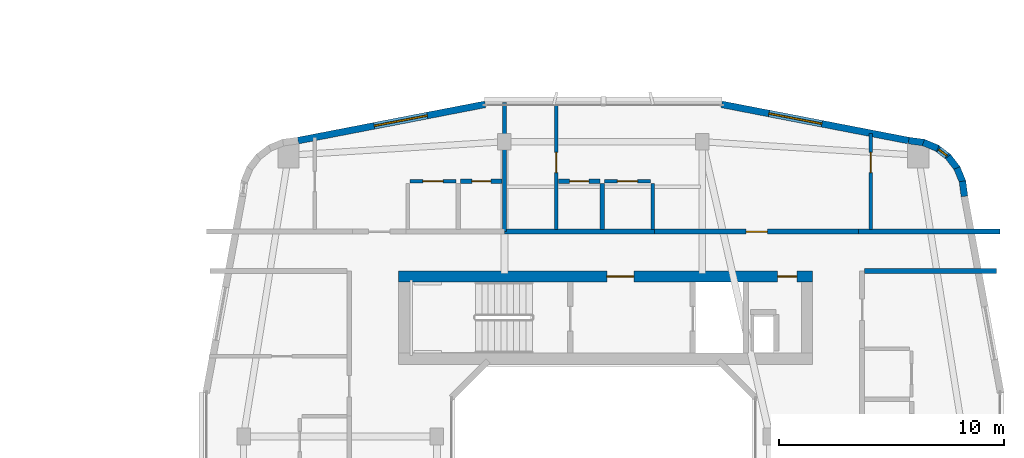
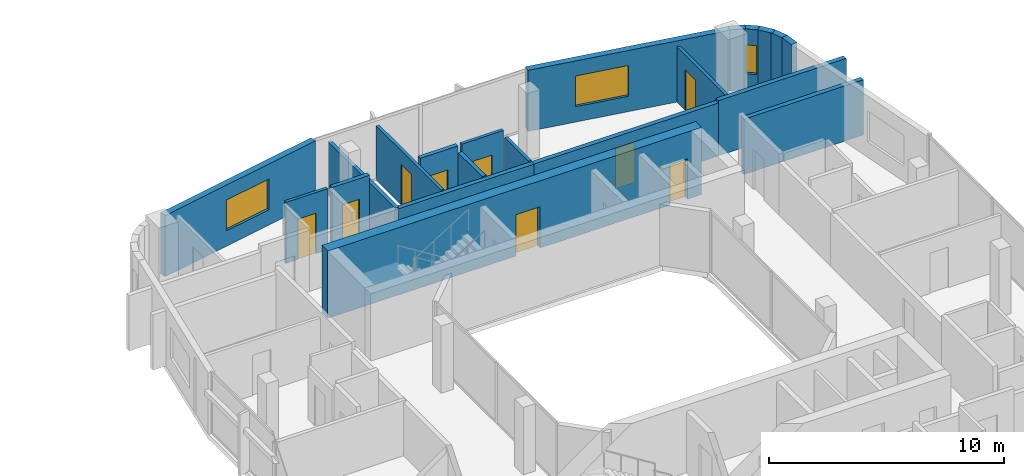
# One storey, part 19 of 25: 22 walls, 9 doors, 3 windows, 12 openings.
"""IFC4 building model written with IfcOpenShell, lengths in metres."""

from ifc_helpers import new_model, si_unit, derived_unit, direction, frame, frame_2d, origin, place, context, subcontext, project, spatial, rectangle, extrude, material, layer, layer_set, type_object, element, fill, save


model = new_model("IFC4")

# Units and contexts
model_context = context("Model", 3, precision=1e-05, world=origin(), true_north=direction((0.0, 1.0)))
body_context = subcontext(model_context, "Body", "Model", "MODEL_VIEW")
ifc_project = project(units=[si_unit("LENGTHUNIT", "METRE"), si_unit("AREAUNIT", "SQUARE_METRE"), si_unit("VOLUMEUNIT", "CUBIC_METRE"), si_unit("PLANEANGLEUNIT", "RADIAN"), si_unit("MASSUNIT", "GRAM", prefix="KILO"), derived_unit("THERMALTRANSMITTANCEUNIT", [(si_unit("POWERUNIT", "WATT"), 1), (si_unit("LENGTHUNIT", "METRE"), -2), (si_unit("THERMODYNAMICTEMPERATUREUNIT", "KELVIN"), -1)])], contexts=[model_context])

# Site, building, storey
site_placement = place(None, origin())
site = spatial("IfcSite", under=ifc_project, at=site_placement, CompositionType="ELEMENT")
building_placement = place(site_placement, origin())
building = spatial("IfcBuilding", under=site, at=building_placement, Name="Kivonza Crest Hotel", CompositionType="ELEMENT")
storey_placement = place(building_placement, frame((0.0, 0.0, 87.0)))
storey = spatial("IfcBuildingStorey", under=building, at=storey_placement, Name="L23", CompositionType="ELEMENT", Elevation=87.0)

# Walls
ifc_material_1 = material(Name="High-density acoustic masonry inter-tenancy wall", Category="masonry")
ifc_layer_1 = layer(ifc_material_1, 0.179931640625)
ifc_layer_set_1 = layer_set([ifc_layer_1], Name="High-density acoustic masonry inter-tenancy wall")
wall_type_1 = type_object("IfcWallType", Name="WL-ACOU-180", PredefinedType="SOLIDWALL", material=ifc_layer_set_1)
wall_1_placement = place(storey_placement, frame((72.60009765625, 37.60009765625, 0.0), z_axis=(0.0, 0.0, 1.0), x_axis=(0.0, 1.0, 0.0)))
element("IfcWall", 1, at=wall_1_placement, inside=storey, type_object=wall_type_1, Name="L23 interior partition WA-L23-T2N-DIV1", PredefinedType="SOLIDWALL", context=body_context, shape_type="SweptSolid", body=[
    extrude(rectangle(XDim=5.739990234375, YDim=0.179931640625, at=frame_2d((2.8701171875, 0.0))), origin(), (0.0, 0.0, 1.0), 2.7548828125),
])
ifc_material_2 = material(Name="Autoclaved aerated concrete blockwork", Category="masonry")
ifc_layer_2 = layer(ifc_material_2, 0.219970703125)
ifc_layer_set_2 = layer_set([ifc_layer_2], Name="Autoclaved aerated concrete blockwork")
wall_type_2 = type_object("IfcWallType", Name="WL-ACOU-220", PredefinedType="SOLIDWALL", material=ifc_layer_set_2)
wall_2_placement = place(storey_placement, frame((72.60009765625, 37.60009765625, 0.0), z_axis=(0.0, 0.0, 1.0), x_axis=(1.0, 0.0, 0.0)))
element("IfcWall", 2, at=wall_2_placement, inside=storey, type_object=wall_type_2, Name="L23 interior partition WA-L23-A02-LCORR", PredefinedType="SOLIDWALL", context=body_context, shape_type="SweptSolid", body=[
    extrude(rectangle(XDim=6.679931640625, YDim=0.219970703125, at=frame_2d((3.33984375, 0.0))), origin(), (0.0, 0.0, 1.0), 2.7548828125),
])
wall_3_placement = place(storey_placement, frame((88.35009765625, 37.60009765625, 0.0), z_axis=(0.0, 0.0, 1.0), x_axis=(1.0, 0.0, 0.0)))
element("IfcWall", 3, at=wall_3_placement, inside=storey, type_object=wall_type_2, Name="L23 interior partition WA-L23-A02-RCORR", PredefinedType="SOLIDWALL", context=body_context, shape_type="SweptSolid", body=[
    extrude(rectangle(XDim=6.289794921875, YDim=0.219970703125, at=frame_2d((3.14501953125, 0.0))), origin(), (0.0, 0.0, 1.0), 2.875),
])

# Wall, opening, door
wall_4_placement = place(storey_placement, frame((79.280029296875, 37.60009765625, 0.0), z_axis=(0.0, 0.0, 1.0), x_axis=(1.0, 0.0, 0.0)))
wall_4 = element("IfcWall", 4, at=wall_4_placement, inside=storey, type_object=wall_type_2, Name="L23 interior partition WA-L23-A02-MCORR", PredefinedType="SOLIDWALL", context=body_context, shape_type="SweptSolid", body=[
    extrude(rectangle(XDim=9.070068359375, YDim=0.219970703125, at=frame_2d((4.53515625, 0.0))), origin(), (0.0, 0.0, 1.0), 2.7548828125),
])
opening_1_placement = place(wall_4_placement, frame((4.06005859375, 0.0, 0.0)))
opening_1 = element("IfcOpeningElement", 5, at=opening_1_placement, cuts=wall_4, Name="Opening DU-60", PredefinedType="OPENING", context=body_context, shape_type="SweptSolid", body=[
    extrude(rectangle(XDim=0.949951171875, YDim=2.10009765625, at=frame_2d((0.47509765625, 1.050048828125))), frame((0.0, 0.1201171875, 0.0), z_axis=(0.0, -1.0, 0.0), x_axis=(1.0, 0.0, 0.0)), (0.0, 0.0, 1.0), 0.239990234375),
])
ifc_material_3 = material(Name="Hardwood timber oak", Category="wood")
door_type_1 = type_object("IfcDoorType", Name="DR-UNIT-950", OperationType="NOTDEFINED", PredefinedType="DOOR", material=ifc_material_3)
door_1_placement = place(opening_1_placement, origin())
door_1 = element("IfcDoor", 6, at=door_1_placement, inside=storey, type_object=door_type_1, Name="L23 A02 apartment entrance fire door", OperationType="SINGLE_SWING_RIGHT", OverallHeight=2.10009765625, OverallWidth=0.949951171875, PredefinedType="DOOR", context=body_context, shape_type="SweptSolid", body=[
    extrude(rectangle(XDim=0.949951171875, YDim=2.10009765625, at=frame_2d((0.47509765625, 1.050048828125))), frame((0.0, 0.02490234375, 0.0), z_axis=(0.0, -1.0, 0.0), x_axis=(1.0, 0.0, 0.0)), (0.0, 0.0, 1.0), 0.050048828125),
])
fill(opening_1, door_1)

# Wall
wall_5_placement = place(storey_placement, frame((88.60009765625, 35.860107421875, 0.0), z_axis=(0.0, 0.0, 1.0), x_axis=(1.0, 0.0, 0.0)))
element("IfcWall", 7, at=wall_5_placement, inside=storey, type_object=wall_type_2, Name="L23 interior partition WA-L23-T2E-ENDN", PredefinedType="SOLIDWALL", context=body_context, shape_type="SweptSolid", body=[
    extrude(rectangle(XDim=5.8798828125, YDim=0.219970703125, at=frame_2d((2.93994140625, 0.0))), origin(), (0.0, 0.0, 1.0), 2.875),
])

# Wall, openings, doors
ifc_material_4 = material(Name="Concrete C60/75", Category="concrete")
ifc_layer_3 = layer(ifc_material_4, 0.5)
ifc_layer_set_3 = layer_set([ifc_layer_3], Name="Concrete C60/75")
wall_type_3 = type_object("IfcWallType", Name="WL-CORE-500", PredefinedType="SHEAR", material=ifc_layer_set_3)
wall_6_placement = place(storey_placement, frame((67.89990234375, 35.610107421875, 0.0), z_axis=(0.0, 0.0, 1.0), x_axis=(1.0, 0.0, 0.0)))
wall_6 = element("IfcWall", 8, at=wall_6_placement, inside=storey, type_object=wall_type_3, Name="Core wall T2-N North L23", PredefinedType="SHEAR", context=body_context, shape_type="SweptSolid", body=[
    extrude(rectangle(XDim=18.400146484375, YDim=0.5, at=frame_2d((9.2001953125, 0.0))), origin(), (0.0, 0.0, 1.0), 3.5),
])
opening_2_placement = place(wall_6_placement, frame((9.25, 0.0, 0.0)))
opening_2 = element("IfcOpeningElement", 9, at=opening_2_placement, cuts=wall_6, Name="Opening DF-60", PredefinedType="OPENING", context=body_context, shape_type="SweptSolid", body=[
    extrude(rectangle(XDim=1.199951171875, YDim=2.14990234375, at=frame_2d((0.60009765625, 1.074951171875))), frame((0.0, 0.260009765625, 0.0), z_axis=(0.0, -1.0, 0.0), x_axis=(1.0, 0.0, 0.0)), (0.0, 0.0, 1.0), 0.52001953125),
])
opening_3_placement = place(wall_6_placement, frame((16.85009765625, 0.0, 0.0)))
opening_3 = element("IfcOpeningElement", 10, at=opening_3_placement, cuts=wall_6, Name="Opening DF-60R", PredefinedType="OPENING", context=body_context, shape_type="SweptSolid", body=[
    extrude(rectangle(XDim=0.85009765625, YDim=2.10009765625, at=frame_2d((0.425048828125, 1.050048828125))), frame((0.0, 0.260009765625, 0.0), z_axis=(0.0, -1.0, 0.0), x_axis=(1.0, 0.0, 0.0)), (0.0, 0.0, 1.0), 0.52001953125),
])
door_type_2 = type_object("IfcDoorType", Name="DR-FD60-1200", OperationType="NOTDEFINED", PredefinedType="DOOR", material=ifc_material_3)
door_2_placement = place(opening_2_placement, origin())
door_2 = element("IfcDoor", 11, at=door_2_placement, inside=storey, type_object=door_type_2, Name="L23 T2-N firefighting lobby fire door", OperationType="SINGLE_SWING_RIGHT", OverallHeight=2.14990234375, OverallWidth=1.199951171875, PredefinedType="DOOR", context=body_context, shape_type="SweptSolid", body=[
    extrude(rectangle(XDim=1.199951171875, YDim=2.14990234375, at=frame_2d((0.60009765625, 1.074951171875))), frame((0.0, 0.02490234375, 0.0), z_axis=(0.0, -1.0, 0.0), x_axis=(1.0, 0.0, 0.0)), (0.0, 0.0, 1.0), 0.050048828125),
])
fill(opening_2, door_2)
door_type_3 = type_object("IfcDoorType", Name="DR-FD60-850", OperationType="NOTDEFINED", PredefinedType="DOOR", material=ifc_material_3)
door_3_placement = place(opening_3_placement, origin())
door_3 = element("IfcDoor", 12, at=door_3_placement, inside=storey, type_object=door_type_3, Name="L23 T2-N core room door", OperationType="SINGLE_SWING_RIGHT", OverallHeight=2.10009765625, OverallWidth=0.85009765625, PredefinedType="DOOR", context=body_context, shape_type="SweptSolid", body=[
    extrude(rectangle(XDim=0.85009765625, YDim=2.10009765625, at=frame_2d((0.425048828125, 1.050048828125))), frame((0.0, 0.02490234375, 0.0), z_axis=(0.0, -1.0, 0.0), x_axis=(1.0, 0.0, 0.0)), (0.0, 0.0, 1.0), 0.050048828125),
])
fill(opening_3, door_3)

# Walls
ifc_material_5 = material(Name="Precast concrete C40/50", Category="concrete")
ifc_layer_4 = layer(ifc_material_5, 0.300048828125)
ifc_layer_set_4 = layer_set([ifc_layer_4], Name="Precast concrete C40/50")
wall_type_4 = type_object("IfcWallType", Name="WL-EXT-300", PredefinedType="STANDARD", material=ifc_layer_set_4)
wall_7_placement = place(storey_placement, frame((93.052001953125, 39.172119140625, 0.0), z_axis=(0.0, 0.0, 1.0), x_axis=(-0.131667498923, 0.991293937098, 0.0)))
element("IfcWall", 13, at=wall_7_placement, inside=storey, type_object=wall_type_4, Name="L23 T2 exterior insulated wall 19", PredefinedType="STANDARD", context=body_context, shape_type="SweptSolid", body=[
    extrude(rectangle(XDim=0.6767578125, YDim=0.300048828125, at=frame_2d((0.33837890625, 0.0))), origin(), (0.0, 0.0, 1.0), 3.179931640625),
])
wall_8_placement = place(storey_placement, frame((92.98193359375, 39.79296875, 0.0), z_axis=(0.0, 0.0, 1.0), x_axis=(-0.381864727877, 0.92421822618, 0.0)))
element("IfcWall", 14, at=wall_8_placement, inside=storey, type_object=wall_type_4, Name="L23 T2 exterior insulated wall 20", PredefinedType="STANDARD", context=body_context, shape_type="SweptSolid", body=[
    extrude(rectangle(XDim=0.693603515625, YDim=0.300048828125, at=frame_2d((0.3466796875, 0.0))), origin(), (0.0, 0.0, 1.0), 3.179931640625),
])
wall_9_placement = place(storey_placement, frame((92.748046875, 40.388916015625, 0.0), z_axis=(0.0, 0.0, 1.0), x_axis=(-0.609693758543, 0.792637067512, 0.0)))
element("IfcWall", 15, at=wall_9_placement, inside=storey, type_object=wall_type_4, Name="L23 T2 exterior insulated wall 21", PredefinedType="STANDARD", context=body_context, shape_type="SweptSolid", body=[
    extrude(rectangle(XDim=0.69384765625, YDim=0.300048828125, at=frame_2d((0.346923828125, 0.0))), origin(), (0.0, 0.0, 1.0), 3.179931640625),
])

# Wall, opening, window
wall_10_placement = place(storey_placement, frame((92.366943359375, 40.904052734375, 0.0), z_axis=(0.0, 0.0, 1.0), x_axis=(-0.792807092876, 0.609472651958, 0.0)))
wall_10 = element("IfcWall", 16, at=wall_10_placement, inside=storey, type_object=wall_type_4, Name="L23 T2 exterior insulated wall 22", PredefinedType="STANDARD", context=body_context, shape_type="SweptSolid", body=[
    extrude(rectangle(XDim=0.69384765625, YDim=0.300048828125, at=frame_2d((0.346923828125, 0.0))), origin(), (0.0, 0.0, 1.0), 3.179931640625),
])
opening_4_placement = place(wall_10_placement, frame((0.1220703125, 0.0, 0.85009765625)))
opening_4 = element("IfcOpeningElement", 17, at=opening_4_placement, cuts=wall_10, Name="Opening WN-11", PredefinedType="OPENING", context=body_context, shape_type="SweptSolid", body=[
    extrude(rectangle(XDim=0.449951171875, YDim=1.5, at=frame_2d((0.22509765625, 0.75))), frame((0.0, 0.16015625, 0.0), z_axis=(0.0, -1.0, 0.0), x_axis=(1.0, 0.0, 0.0)), (0.0, 0.0, 1.0), 0.320068359375),
])
ifc_material_6 = material(Name="Thermally broken bronze aluminium and low-E double glazing", Category="aluminium")
window_type_1 = type_object("IfcWindowType", Name="WN-045x150", PartitioningType="SINGLE_PANEL", PredefinedType="WINDOW", material=ifc_material_6)
window_1_placement = place(opening_4_placement, origin())
window_1 = element("IfcWindow", 18, at=window_1_placement, inside=storey, type_object=window_type_1, Name="L23 corner vision window 2", OverallHeight=1.5, OverallWidth=0.449951171875, PartitioningType="SINGLE_PANEL", PredefinedType="WINDOW", context=body_context, shape_type="SweptSolid", body=[
    extrude(rectangle(XDim=0.449951171875, YDim=1.5, at=frame_2d((0.22509765625, 0.75))), frame((0.0, 0.030029296875, 0.0), z_axis=(0.0, -1.0, 0.0), x_axis=(1.0, 0.0, 0.0)), (0.0, 0.0, 1.0), 0.06005859375),
])
fill(opening_4, window_1)

# Walls
wall_11_placement = place(storey_placement, frame((91.865966796875, 41.302978515625, 0.0), z_axis=(0.0, 0.0, 1.0), x_axis=(-0.924042561464, 0.382289608286, 0.0)))
element("IfcWall", 19, at=wall_11_placement, inside=storey, type_object=wall_type_4, Name="L23 T2 exterior insulated wall 23", PredefinedType="STANDARD", context=body_context, shape_type="SweptSolid", body=[
    extrude(rectangle(XDim=0.693603515625, YDim=0.300048828125, at=frame_2d((0.3466796875, 0.0))), origin(), (0.0, 0.0, 1.0), 3.179931640625),
])
wall_12_placement = place(storey_placement, frame((91.278076171875, 41.55908203125, 0.0), z_axis=(0.0, 0.0, 1.0), x_axis=(-0.991433279471, 0.130614135366, 0.0)))
element("IfcWall", 20, at=wall_12_placement, inside=storey, type_object=wall_type_4, Name="L23 T2 exterior insulated wall 24", PredefinedType="STANDARD", context=body_context, shape_type="SweptSolid", body=[
    extrude(rectangle(XDim=0.712158203125, YDim=0.300048828125, at=frame_2d((0.35595703125, 0.0))), origin(), (0.0, 0.0, 1.0), 3.179931640625),
])

# Wall, opening, window
wall_13_placement = place(storey_placement, frame((90.5791015625, 41.65087890625, 0.0), z_axis=(0.0, 0.0, 1.0), x_axis=(-0.981750199588, 0.190175039396, 0.0)))
wall_13 = element("IfcWall", 21, at=wall_13_placement, inside=storey, type_object=wall_type_4, Name="L23 T2 exterior insulated wall 25", PredefinedType="STANDARD", context=body_context, shape_type="SweptSolid", body=[
    extrude(rectangle(XDim=8.476806640625, YDim=0.300048828125, at=frame_2d((4.23828125, 0.0))), origin(), (0.0, 0.0, 1.0), 3.179931640625),
])
opening_5_placement = place(wall_13_placement, frame((3.93701171875, 0.0, 0.800048828125)))
opening_5 = element("IfcOpeningElement", 22, at=opening_5_placement, cuts=wall_13, Name="Opening WN-05", PredefinedType="OPENING", context=body_context, shape_type="SweptSolid", body=[
    extrude(rectangle(XDim=2.39990234375, YDim=1.60009765625, at=frame_2d((1.199951171875, 0.800048828125))), frame((0.0, 0.16015625, 0.0), z_axis=(0.0, -1.0, 0.0), x_axis=(1.0, 0.0, 0.0)), (0.0, 0.0, 1.0), 0.320068359375),
])
window_type_2 = type_object("IfcWindowType", Name="WN-240x160", PartitioningType="TRIPLE_PANEL_VERTICAL", PredefinedType="WINDOW", material=ifc_material_6)
window_2_placement = place(opening_5_placement, origin())
window_2 = element("IfcWindow", 23, at=window_2_placement, inside=storey, type_object=window_type_2, Name="L23 T2 facade window 25", OverallHeight=1.60009765625, OverallWidth=2.39990234375, PartitioningType="SINGLE_PANEL", PredefinedType="WINDOW", context=body_context, shape_type="SweptSolid", body=[
    extrude(rectangle(XDim=2.39990234375, YDim=1.60009765625, at=frame_2d((1.199951171875, 0.800048828125))), frame((0.0, 0.030029296875, 0.0), z_axis=(0.0, -1.0, 0.0), x_axis=(1.0, 0.0, 0.0)), (0.0, 0.0, 1.0), 0.06005859375),
])
fill(opening_5, window_2)

wall_14_placement = place(storey_placement, frame((71.742919921875, 43.262939453125, 0.0), z_axis=(0.0, 0.0, 1.0), x_axis=(-0.981750199588, -0.190175039396, 0.0)))
wall_14 = element("IfcWall", 24, at=wall_14_placement, inside=storey, type_object=wall_type_4, Name="L23 T2 exterior insulated wall 27", PredefinedType="STANDARD", context=body_context, shape_type="SweptSolid", body=[
    extrude(rectangle(XDim=8.476806640625, YDim=0.300048828125, at=frame_2d((4.23828125, 0.0))), origin(), (0.0, 0.0, 1.0), 3.179931640625),
])
opening_6_placement = place(wall_14_placement, frame((2.623046875, 0.0, 0.800048828125)))
opening_6 = element("IfcOpeningElement", 25, at=opening_6_placement, cuts=wall_14, Name="Opening WN-05", PredefinedType="OPENING", context=body_context, shape_type="SweptSolid", body=[
    extrude(rectangle(XDim=2.39990234375, YDim=1.60009765625, at=frame_2d((1.199951171875, 0.800048828125))), frame((0.0, 0.16015625, 0.0), z_axis=(0.0, -1.0, 0.0), x_axis=(1.0, 0.0, 0.0)), (0.0, 0.0, 1.0), 0.320068359375),
])
window_3_placement = place(opening_6_placement, origin())
window_3 = element("IfcWindow", 26, at=window_3_placement, inside=storey, type_object=window_type_2, Name="L23 T2 facade window 27", OverallHeight=1.60009765625, OverallWidth=2.39990234375, PartitioningType="SINGLE_PANEL", PredefinedType="WINDOW", context=body_context, shape_type="SweptSolid", body=[
    extrude(rectangle(XDim=2.39990234375, YDim=1.60009765625, at=frame_2d((1.199951171875, 0.800048828125))), frame((0.0, 0.030029296875, 0.0), z_axis=(0.0, -1.0, 0.0), x_axis=(1.0, 0.0, 0.0)), (0.0, 0.0, 1.0), 0.06005859375),
])
fill(opening_6, window_3)

# Wall, opening, door
ifc_material_7 = material(Name="Twin-stud acoustic gypsum board partition", Category="gypsum")
ifc_layer_5 = layer(ifc_material_7, 0.14990234375)
ifc_layer_set_5 = layer_set([ifc_layer_5], Name="Twin-stud acoustic gypsum board partition")
wall_type_5 = type_object("IfcWallType", Name="WL-PART-150", PredefinedType="PARTITIONING", material=ifc_layer_set_5)
wall_15_placement = place(storey_placement, frame((68.39990234375, 39.85009765625, 0.0), z_axis=(0.0, 0.0, 1.0), x_axis=(1.0, 0.0, 0.0)))
wall_15 = element("IfcWall", 27, at=wall_15_placement, inside=storey, type_object=wall_type_5, Name="L23 interior partition WP-L23-A01-KSVC", PredefinedType="PARTITIONING", context=body_context, shape_type="SweptSolid", body=[
    extrude(rectangle(XDim=2.050048828125, YDim=0.14990234375, at=frame_2d((1.02490234375, 0.0))), origin(), (0.0, 0.0, 1.0), 3.179931640625),
])
opening_7_placement = place(wall_15_placement, frame((0.574951171875, 0.0, 0.0)))
opening_7 = element("IfcOpeningElement", 28, at=opening_7_placement, cuts=wall_15, Name="Opening DI-90", PredefinedType="OPENING", context=body_context, shape_type="SweptSolid", body=[
    extrude(rectangle(XDim=0.89990234375, YDim=2.10009765625, at=frame_2d((0.449951171875, 1.050048828125))), frame((0.0, 0.0849609375, 0.0), z_axis=(0.0, -1.0, 0.0), x_axis=(1.0, 0.0, 0.0)), (0.0, 0.0, 1.0), 0.169921875),
])
door_type_4 = type_object("IfcDoorType", Name="DR-INT-900", OperationType="NOTDEFINED", PredefinedType="DOOR", material=ifc_material_3)
door_4_placement = place(opening_7_placement, origin())
door_4 = element("IfcDoor", 29, at=door_4_placement, inside=storey, type_object=door_type_4, Name="L23 A01 apartment kitchen door", OperationType="SINGLE_SWING_LEFT", OverallHeight=2.10009765625, OverallWidth=0.89990234375, PredefinedType="DOOR", context=body_context, shape_type="SweptSolid", body=[
    extrude(rectangle(XDim=0.89990234375, YDim=2.10009765625, at=frame_2d((0.449951171875, 1.050048828125))), frame((0.0, 0.02490234375, 0.0), z_axis=(0.0, -1.0, 0.0), x_axis=(1.0, 0.0, 0.0)), (0.0, 0.0, 1.0), 0.050048828125),
])
fill(opening_7, door_4)

wall_16_placement = place(storey_placement, frame((74.89990234375, 37.699951171875, 0.0), z_axis=(0.0, 0.0, 1.0), x_axis=(0.0, 1.0, 0.0)))
wall_16 = element("IfcWall", 30, at=wall_16_placement, inside=storey, type_object=wall_type_5, Name="L23 interior partition WP-L23-A02-BDW1", PredefinedType="PARTITIONING", context=body_context, shape_type="SweptSolid", body=[
    extrude(rectangle(XDim=5.5400390625, YDim=0.14990234375, at=frame_2d((2.77001953125, 0.0))), origin(), (0.0, 0.0, 1.0), 2.824951171875),
])
opening_8_placement = place(wall_16_placement, frame((2.530029296875, 0.0, 0.0)))
opening_8 = element("IfcOpeningElement", 31, at=opening_8_placement, cuts=wall_16, Name="Opening DI-90", PredefinedType="OPENING", context=body_context, shape_type="SweptSolid", body=[
    extrude(rectangle(XDim=0.89990234375, YDim=2.10009765625, at=frame_2d((0.449951171875, 1.050048828125))), frame((0.0, 0.0849609375, 0.0), z_axis=(0.0, -1.0, 0.0), x_axis=(1.0, 0.0, 0.0)), (0.0, 0.0, 1.0), 0.169921875),
])
door_5_placement = place(opening_8_placement, origin())
door_5 = element("IfcDoor", 32, at=door_5_placement, inside=storey, type_object=door_type_4, Name="L23 A02 bedroom 1 door", OperationType="SINGLE_SWING_LEFT", OverallHeight=2.10009765625, OverallWidth=0.89990234375, PredefinedType="DOOR", context=body_context, shape_type="SweptSolid", body=[
    extrude(rectangle(XDim=0.89990234375, YDim=2.10009765625, at=frame_2d((0.449951171875, 1.050048828125))), frame((0.0, 0.02490234375, 0.0), z_axis=(0.0, -1.0, 0.0), x_axis=(1.0, 0.0, 0.0)), (0.0, 0.0, 1.0), 0.050048828125),
])
fill(opening_8, door_5)

wall_17_placement = place(storey_placement, frame((88.889892578125, 37.699951171875, 0.0), z_axis=(0.0, 0.0, 1.0), x_axis=(0.0, 1.0, 0.0)))
wall_17 = element("IfcWall", 33, at=wall_17_placement, inside=storey, type_object=wall_type_5, Name="L23 interior partition WP-L23-A02-BDW2", PredefinedType="PARTITIONING", context=body_context, shape_type="SweptSolid", body=[
    extrude(rectangle(XDim=4.27001953125, YDim=0.14990234375, at=frame_2d((2.135009765625, 0.0))), origin(), (0.0, 0.0, 1.0), 2.875),
])
opening_9_placement = place(wall_17_placement, frame((2.530029296875, 0.0, 0.0)))
opening_9 = element("IfcOpeningElement", 34, at=opening_9_placement, cuts=wall_17, Name="Opening DI-90", PredefinedType="OPENING", context=body_context, shape_type="SweptSolid", body=[
    extrude(rectangle(XDim=0.89990234375, YDim=2.10009765625, at=frame_2d((0.449951171875, 1.050048828125))), frame((0.0, 0.0849609375, 0.0), z_axis=(0.0, -1.0, 0.0), x_axis=(1.0, 0.0, 0.0)), (0.0, 0.0, 1.0), 0.169921875),
])
door_6_placement = place(opening_9_placement, origin())
door_6 = element("IfcDoor", 35, at=door_6_placement, inside=storey, type_object=door_type_4, Name="L23 A02 bedroom 2 door", OperationType="SINGLE_SWING_RIGHT", OverallHeight=2.10009765625, OverallWidth=0.89990234375, PredefinedType="DOOR", context=body_context, shape_type="SweptSolid", body=[
    extrude(rectangle(XDim=0.89990234375, YDim=2.10009765625, at=frame_2d((0.449951171875, 1.050048828125))), frame((0.0, 0.02490234375, 0.0), z_axis=(0.0, -1.0, 0.0), x_axis=(1.0, 0.0, 0.0)), (0.0, 0.0, 1.0), 0.050048828125),
])
fill(opening_9, door_6)

# Wall
wall_18_placement = place(storey_placement, frame((79.199951171875, 37.699951171875, 0.0), z_axis=(0.0, 0.0, 1.0), x_axis=(0.0, 1.0, 0.0)))
element("IfcWall", 36, at=wall_18_placement, inside=storey, type_object=wall_type_5, Name="L23 interior partition WP-L23-A02-KF", PredefinedType="PARTITIONING", context=body_context, shape_type="SweptSolid", body=[
    extrude(rectangle(XDim=2.050048828125, YDim=0.14990234375, at=frame_2d((1.02490234375, 0.0))), origin(), (0.0, 0.0, 1.0), 2.824951171875),
])

# Wall, opening, door
wall_19_placement = place(storey_placement, frame((77.050048828125, 39.85009765625, 0.0), z_axis=(0.0, 0.0, 1.0), x_axis=(1.0, 0.0, 0.0)))
wall_19 = element("IfcWall", 37, at=wall_19_placement, inside=storey, type_object=wall_type_5, Name="L23 interior partition WP-L23-A02-KSVC", PredefinedType="PARTITIONING", context=body_context, shape_type="SweptSolid", body=[
    extrude(rectangle(XDim=2.050048828125, YDim=0.14990234375, at=frame_2d((1.02490234375, 0.0))), origin(), (0.0, 0.0, 1.0), 3.179931640625),
])
opening_10_placement = place(wall_19_placement, frame((0.574951171875, 0.0, 0.0)))
opening_10 = element("IfcOpeningElement", 38, at=opening_10_placement, cuts=wall_19, Name="Opening DI-90", PredefinedType="OPENING", context=body_context, shape_type="SweptSolid", body=[
    extrude(rectangle(XDim=0.89990234375, YDim=2.10009765625, at=frame_2d((0.449951171875, 1.050048828125))), frame((0.0, 0.0849609375, 0.0), z_axis=(0.0, -1.0, 0.0), x_axis=(1.0, 0.0, 0.0)), (0.0, 0.0, 1.0), 0.169921875),
])
door_7_placement = place(opening_10_placement, origin())
door_7 = element("IfcDoor", 39, at=door_7_placement, inside=storey, type_object=door_type_4, Name="L23 A02 apartment kitchen door", OperationType="SINGLE_SWING_RIGHT", OverallHeight=2.10009765625, OverallWidth=0.89990234375, PredefinedType="DOOR", context=body_context, shape_type="SweptSolid", body=[
    extrude(rectangle(XDim=0.89990234375, YDim=2.10009765625, at=frame_2d((0.449951171875, 1.050048828125))), frame((0.0, 0.02490234375, 0.0), z_axis=(0.0, -1.0, 0.0), x_axis=(1.0, 0.0, 0.0)), (0.0, 0.0, 1.0), 0.050048828125),
])
fill(opening_10, door_7)

ifc_material_8 = material(Name="Moisture-resistant plumbing chase partition wall", Category="gypsum")
ifc_layer_6 = layer(ifc_material_8, 0.199951171875)
ifc_layer_set_6 = layer_set([ifc_layer_6], Name="Moisture-resistant plumbing chase partition wall")
wall_type_6 = type_object("IfcWallType", Name="WL-PLUMB-200", PredefinedType="PLUMBINGWALL", material=ifc_layer_set_6)
wall_20_placement = place(storey_placement, frame((70.64990234375, 39.85009765625, 0.0), z_axis=(0.0, 0.0, 1.0), x_axis=(1.0, 0.0, 0.0)))
wall_20 = element("IfcWall", 40, at=wall_20_placement, inside=storey, type_object=wall_type_6, Name="L23 interior partition WW-L23-A01-BSVC", PredefinedType="PLUMBINGWALL", context=body_context, shape_type="SweptSolid", body=[
    extrude(rectangle(XDim=1.85009765625, YDim=0.199951171875, at=frame_2d((0.925048828125, 0.0))), origin(), (0.0, 0.0, 1.0), 3.179931640625),
])
opening_11_placement = place(wall_20_placement, frame((0.5, 0.0, 0.0)))
opening_11 = element("IfcOpeningElement", 41, at=opening_11_placement, cuts=wall_20, Name="Opening DI-85", PredefinedType="OPENING", context=body_context, shape_type="SweptSolid", body=[
    extrude(rectangle(XDim=0.85009765625, YDim=2.10009765625, at=frame_2d((0.425048828125, 1.050048828125))), frame((0.0, 0.10986328125, 0.0), z_axis=(0.0, -1.0, 0.0), x_axis=(1.0, 0.0, 0.0)), (0.0, 0.0, 1.0), 0.219970703125),
])
door_type_5 = type_object("IfcDoorType", Name="DR-INT-850", OperationType="NOTDEFINED", PredefinedType="DOOR", material=ifc_material_3)
door_8_placement = place(opening_11_placement, origin())
door_8 = element("IfcDoor", 42, at=door_8_placement, inside=storey, type_object=door_type_5, Name="L23 A01 apartment bathroom door", OperationType="SINGLE_SWING_RIGHT", OverallHeight=2.10009765625, OverallWidth=0.85009765625, PredefinedType="DOOR", context=body_context, shape_type="SweptSolid", body=[
    extrude(rectangle(XDim=0.85009765625, YDim=2.10009765625, at=frame_2d((0.425048828125, 1.050048828125))), frame((0.0, 0.02490234375, 0.0), z_axis=(0.0, -1.0, 0.0), x_axis=(1.0, 0.0, 0.0)), (0.0, 0.0, 1.0), 0.050048828125),
])
fill(opening_11, door_8)

# Wall
wall_21_placement = place(storey_placement, frame((76.949951171875, 37.699951171875, 0.0), z_axis=(0.0, 0.0, 1.0), x_axis=(0.0, 1.0, 0.0)))
element("IfcWall", 43, at=wall_21_placement, inside=storey, type_object=wall_type_6, Name="L23 interior partition WW-L23-A02-BK", PredefinedType="PLUMBINGWALL", context=body_context, shape_type="SweptSolid", body=[
    extrude(rectangle(XDim=2.050048828125, YDim=0.199951171875, at=frame_2d((1.02490234375, 0.0))), origin(), (0.0, 0.0, 1.0), 2.824951171875),
])

# Wall, opening, door
wall_22_placement = place(storey_placement, frame((75.0, 39.85009765625, 0.0), z_axis=(0.0, 0.0, 1.0), x_axis=(1.0, 0.0, 0.0)))
wall_22 = element("IfcWall", 44, at=wall_22_placement, inside=storey, type_object=wall_type_6, Name="L23 interior partition WW-L23-A02-BSVC", PredefinedType="PLUMBINGWALL", context=body_context, shape_type="SweptSolid", body=[
    extrude(rectangle(XDim=1.85009765625, YDim=0.199951171875, at=frame_2d((0.925048828125, 0.0))), origin(), (0.0, 0.0, 1.0), 3.179931640625),
])
opening_12_placement = place(wall_22_placement, frame((0.5, 0.0, 0.0)))
opening_12 = element("IfcOpeningElement", 45, at=opening_12_placement, cuts=wall_22, Name="Opening DI-85", PredefinedType="OPENING", context=body_context, shape_type="SweptSolid", body=[
    extrude(rectangle(XDim=0.85009765625, YDim=2.10009765625, at=frame_2d((0.425048828125, 1.050048828125))), frame((0.0, 0.10986328125, 0.0), z_axis=(0.0, -1.0, 0.0), x_axis=(1.0, 0.0, 0.0)), (0.0, 0.0, 1.0), 0.219970703125),
])
door_9_placement = place(opening_12_placement, origin())
door_9 = element("IfcDoor", 46, at=door_9_placement, inside=storey, type_object=door_type_5, Name="L23 A02 apartment bathroom door", OperationType="SINGLE_SWING_LEFT", OverallHeight=2.10009765625, OverallWidth=0.85009765625, PredefinedType="DOOR", context=body_context, shape_type="SweptSolid", body=[
    extrude(rectangle(XDim=0.85009765625, YDim=2.10009765625, at=frame_2d((0.425048828125, 1.050048828125))), frame((0.0, 0.02490234375, 0.0), z_axis=(0.0, -1.0, 0.0), x_axis=(1.0, 0.0, 0.0)), (0.0, 0.0, 1.0), 0.050048828125),
])
fill(opening_12, door_9)

save(model, "model.ifc")
